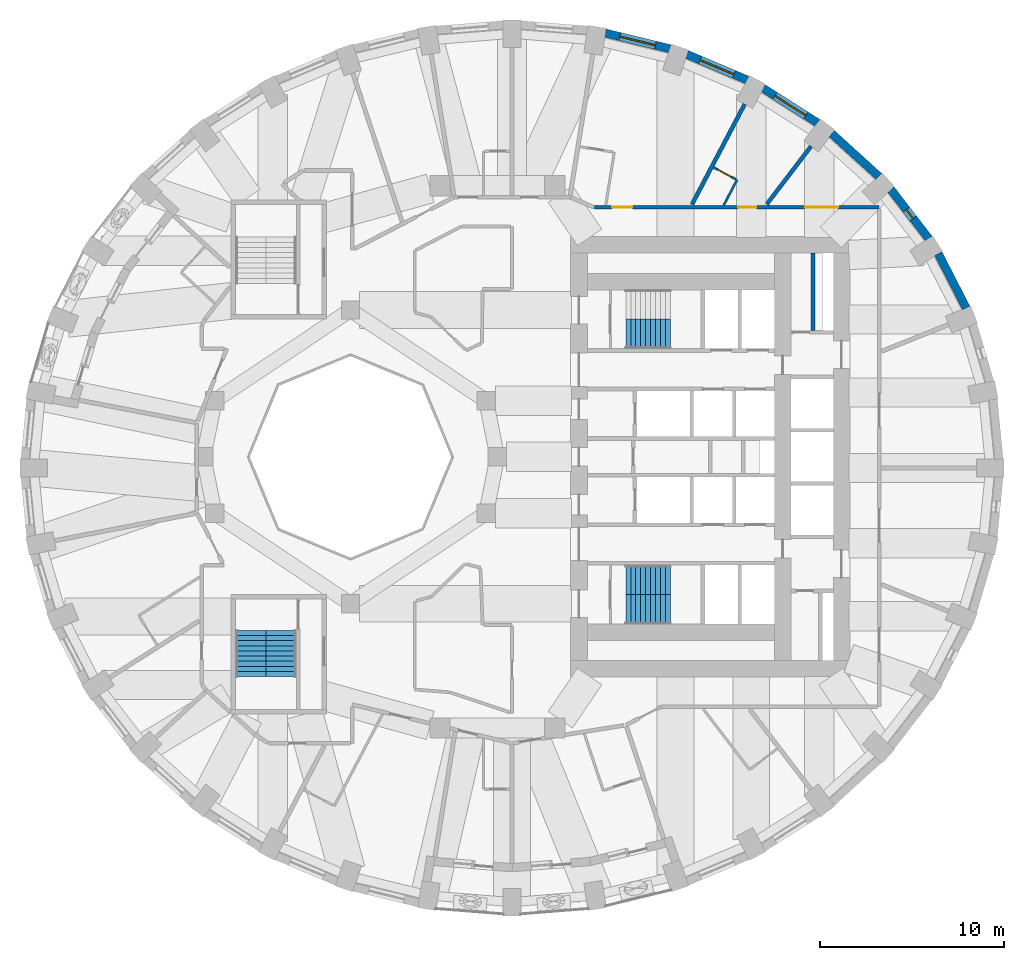
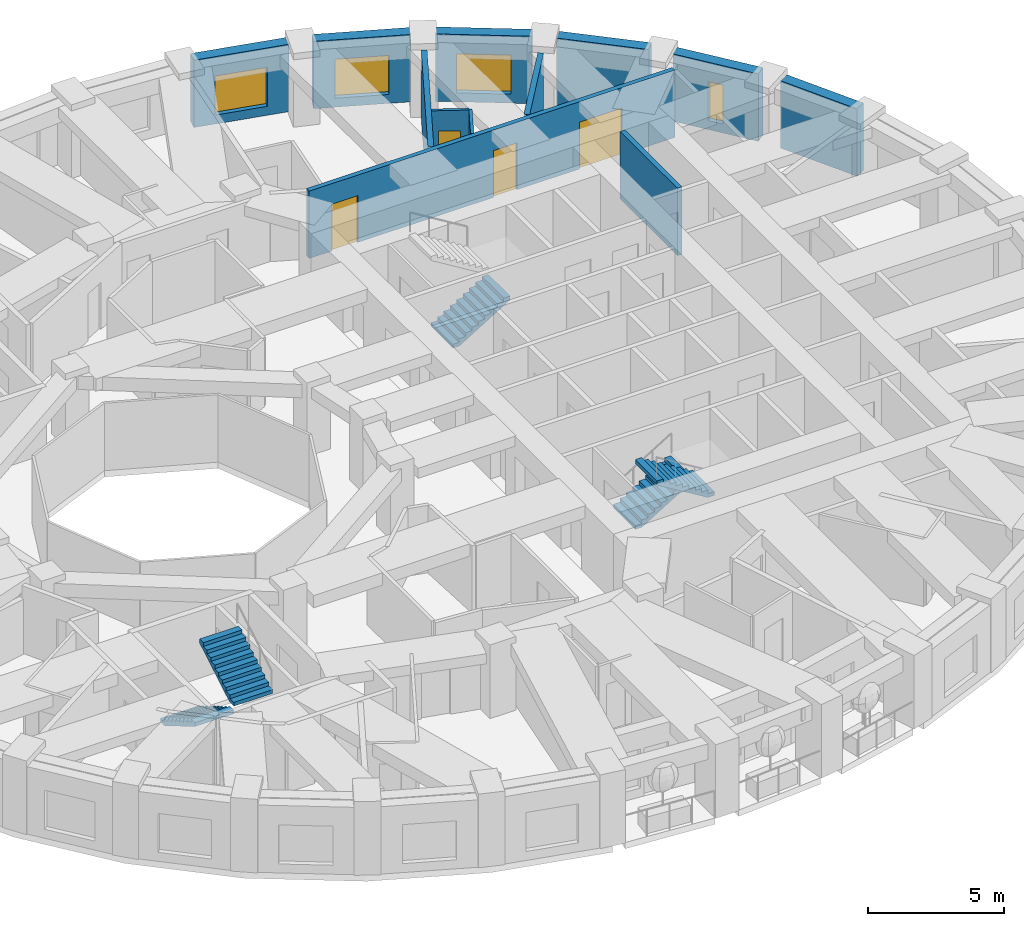
# One storey, part 9 of 13: 12 walls, 5 stair flights, 4 doors, 4 windows, 8 openings, 3 elements without a shape of their own.
"""IFC4 building model written with IfcOpenShell, lengths in metres."""

from ifc_helpers import new_model, si_unit, direction, frame, frame_2d, origin, place, context, subcontext, project, spatial, polyline, rectangle, outline, extrude, material, layer, layer_set, type_object, element, fill, aggregate, save


model = new_model("IFC4")

# Units and contexts
model_context = context("Model", 3, precision=1e-05, world=origin(), true_north=direction((0.0, 1.0)))
body_context = subcontext(model_context, "Body", "Model", "MODEL_VIEW")
ifc_project = project(units=[si_unit("LENGTHUNIT", "METRE"), si_unit("AREAUNIT", "SQUARE_METRE"), si_unit("VOLUMEUNIT", "CUBIC_METRE"), si_unit("PLANEANGLEUNIT", "RADIAN"), si_unit("MASSUNIT", "GRAM", prefix="KILO")], contexts=[model_context])

# Site, building, storey
site_placement = place(None, origin())
site = spatial("IfcSite", under=ifc_project, at=site_placement, CompositionType="ELEMENT")
building_placement = place(site_placement, origin())
building = spatial("IfcBuilding", under=site, at=building_placement, Name="Taillehof Tower", CompositionType="ELEMENT")
storey_placement = place(building_placement, frame((0.0, 0.0, 108.699951171875)))
storey = spatial("IfcBuildingStorey", under=building, at=storey_placement, Name="L30", CompositionType="ELEMENT", Elevation=108.699951171875)

# Wall
ifc_material_1 = material(Name="Brick masonry", Category="masonry")
ifc_layer_1 = layer(ifc_material_1, 0.449951171875)
ifc_layer_set_1 = layer_set([ifc_layer_1], Name="Brick infill wall 450")
wall_type_1 = type_object("IfcWallType", Name="Brick infill wall 450", PredefinedType="SOLIDWALL", material=ifc_layer_set_1)
wall_1_placement = place(storey_placement, frame((25.545166015625, 8.1123046875, 0.0), z_axis=(0.0, 0.0, 1.0), x_axis=(-0.456828186229, 0.889554949549, 0.0)))
element("IfcWall", 1, at=wall_1_placement, inside=storey, type_object=wall_type_1, Name="Brick wall L30 bay 3", PredefinedType="SOLIDWALL", context=body_context, shape_type="SweptSolid", body=[
    extrude(rectangle(XDim=3.332763671875, YDim=0.449951171875, at=frame_2d((1.66650390625, 0.0))), origin(), (0.0, 0.0, 1.0), 3.02001953125),
])

# Wall, opening, window
wall_2_placement = place(storey_placement, frame((23.508056640625, 11.887451171875, 0.0), z_axis=(0.0, 0.0, 1.0), x_axis=(-0.610693945156, 0.791866721961, 0.0)))
wall_2 = element("IfcWall", 2, at=wall_2_placement, inside=storey, type_object=wall_type_1, Name="Brick wall L30 bay 4", PredefinedType="SOLIDWALL", context=body_context, shape_type="SweptSolid", body=[
    extrude(rectangle(XDim=3.39453125, YDim=0.449951171875, at=frame_2d((1.697265625, 0.0))), origin(), (0.0, 0.0, 1.0), 3.02001953125),
])
opening_1_placement = place(wall_2_placement, frame((1.397216796875, 0.0, 0.39990234375)))
opening_1 = element("IfcOpeningElement", 3, at=opening_1_placement, cuts=wall_2, Name="Opening W6", PredefinedType="OPENING", context=body_context, shape_type="SweptSolid", body=[
    extrude(rectangle(XDim=0.60009765625, YDim=1.75, at=frame_2d((0.300048828125, 0.875))), frame((0.0, 0.23486328125, 0.0), z_axis=(0.0, -1.0, 0.0), x_axis=(1.0, 0.0, 0.0)), (0.0, 0.0, 1.0), 0.469970703125),
])
ifc_material_2 = material(Name="Aluminium window frame with clear double glazing", Category="aluminium")
window_type_1 = type_object("IfcWindowType", Name="Slot window 600x1750", PartitioningType="SINGLE_PANEL", PredefinedType="WINDOW", material=ifc_material_2)
window_1_placement = place(opening_1_placement, origin())
window_1 = element("IfcWindow", 4, at=window_1_placement, inside=storey, type_object=window_type_1, Name="W6", OverallHeight=1.75, OverallWidth=0.60009765625, PartitioningType="SINGLE_PANEL", PredefinedType="WINDOW", context=body_context, shape_type="SweptSolid", body=[
    extrude(rectangle(XDim=0.60009765625, YDim=1.75, at=frame_2d((0.300048828125, 0.875))), frame((0.0, 0.034912109375, 0.0), z_axis=(0.0, -1.0, 0.0), x_axis=(1.0, 0.0, 0.0)), (0.0, 0.0, 1.0), 0.06005859375),
])
fill(opening_1, window_1)

# Wall
wall_3_placement = place(storey_placement, frame((20.783935546875, 15.281005859375, 0.0), z_axis=(0.0, 0.0, 1.0), x_axis=(-0.74032902847, 0.672244694739, 0.0)))
element("IfcWall", 5, at=wall_3_placement, inside=storey, type_object=wall_type_1, Name="Brick wall L30 bay 5", PredefinedType="SOLIDWALL", context=body_context, shape_type="SweptSolid", body=[
    extrude(rectangle(XDim=3.4638671875, YDim=0.449951171875, at=frame_2d((1.73193359375, 0.0))), origin(), (0.0, 0.0, 1.0), 3.02001953125),
])

# Wall, opening, window
wall_4_placement = place(storey_placement, frame((17.456298828125, 18.19189453125, 0.0), z_axis=(0.0, 0.0, 1.0), x_axis=(-0.843880549131, 0.536531097699, 0.0)))
wall_4 = element("IfcWall", 6, at=wall_4_placement, inside=storey, type_object=wall_type_1, Name="Brick wall L30 bay 6", PredefinedType="SOLIDWALL", context=body_context, shape_type="SweptSolid", body=[
    extrude(rectangle(XDim=3.532470703125, YDim=0.449951171875, at=frame_2d((1.76611328125, 0.0))), origin(), (0.0, 0.0, 1.0), 3.02001953125),
])
opening_2_placement = place(wall_4_placement, frame((0.76611328125, 0.0, 0.39990234375)))
opening_2 = element("IfcOpeningElement", 7, at=opening_2_placement, cuts=wall_4, Name="Opening W2", PredefinedType="OPENING", context=body_context, shape_type="SweptSolid", body=[
    extrude(rectangle(XDim=2.0, YDim=1.75, at=frame_2d((1.0, 0.875))), frame((0.0, 0.23486328125, 0.0), z_axis=(0.0, -1.0, 0.0), x_axis=(1.0, 0.0, 0.0)), (0.0, 0.0, 1.0), 0.469970703125),
])
ifc_material_3 = material(Name="Aluminium window frame with clear double glazing", Category="aluminium")
window_type_2 = type_object("IfcWindowType", Name="Deep-set window 2000x1750", PartitioningType="SINGLE_PANEL", PredefinedType="WINDOW", material=ifc_material_3)
window_2_placement = place(opening_2_placement, origin())
window_2 = element("IfcWindow", 8, at=window_2_placement, inside=storey, type_object=window_type_2, Name="W2", OverallHeight=1.75, OverallWidth=2.0, PartitioningType="SINGLE_PANEL", PredefinedType="WINDOW", context=body_context, shape_type="SweptSolid", body=[
    extrude(rectangle(XDim=2.0, YDim=1.75, at=frame_2d((1.0, 0.875))), frame((0.0, 0.034912109375, 0.0), z_axis=(0.0, -1.0, 0.0), x_axis=(1.0, 0.0, 0.0)), (0.0, 0.0, 1.0), 0.06005859375),
])
fill(opening_2, window_2)

wall_5_placement = place(storey_placement, frame((13.625244140625, 20.533447265625, 0.0), z_axis=(0.0, 0.0, 1.0), x_axis=(-0.920869643542, 0.389870619055, 0.0)))
wall_5 = element("IfcWall", 9, at=wall_5_placement, inside=storey, type_object=wall_type_1, Name="Brick wall L30 bay 7", PredefinedType="SOLIDWALL", context=body_context, shape_type="SweptSolid", body=[
    extrude(rectangle(XDim=3.59130859375, YDim=0.449951171875, at=frame_2d((1.795654296875, 0.0))), origin(), (0.0, 0.0, 1.0), 3.02001953125),
])
opening_3_placement = place(wall_5_placement, frame((0.795654296875, 0.0, 0.39990234375)))
opening_3 = element("IfcOpeningElement", 10, at=opening_3_placement, cuts=wall_5, Name="Opening W2", PredefinedType="OPENING", context=body_context, shape_type="SweptSolid", body=[
    extrude(rectangle(XDim=2.0, YDim=1.75, at=frame_2d((1.0, 0.875))), frame((0.0, 0.23486328125, 0.0), z_axis=(0.0, -1.0, 0.0), x_axis=(1.0, 0.0, 0.0)), (0.0, 0.0, 1.0), 0.469970703125),
])
window_3_placement = place(opening_3_placement, origin())
window_3 = element("IfcWindow", 11, at=window_3_placement, inside=storey, type_object=window_type_2, Name="W2", OverallHeight=1.75, OverallWidth=2.0, PartitioningType="SINGLE_PANEL", PredefinedType="WINDOW", context=body_context, shape_type="SweptSolid", body=[
    extrude(rectangle(XDim=2.0, YDim=1.75, at=frame_2d((1.0, 0.875))), frame((0.0, 0.034912109375, 0.0), z_axis=(0.0, -1.0, 0.0), x_axis=(1.0, 0.0, 0.0)), (0.0, 0.0, 1.0), 0.06005859375),
])
fill(opening_3, window_3)

wall_6_placement = place(storey_placement, frame((9.406494140625, 22.2353515625, 0.0), z_axis=(0.0, 0.0, 1.0), x_axis=(-0.971667603162, 0.236351579148, 0.0)))
wall_6 = element("IfcWall", 12, at=wall_6_placement, inside=storey, type_object=wall_type_1, Name="Brick wall L30 bay 8", PredefinedType="SOLIDWALL", context=body_context, shape_type="SweptSolid", body=[
    extrude(rectangle(XDim=3.635009765625, YDim=0.449951171875, at=frame_2d((1.8173828125, 0.0))), origin(), (0.0, 0.0, 1.0), 3.02001953125),
])
opening_4_placement = place(wall_6_placement, frame((0.8173828125, 0.0, 0.39990234375)))
opening_4 = element("IfcOpeningElement", 13, at=opening_4_placement, cuts=wall_6, Name="Opening W2", PredefinedType="OPENING", context=body_context, shape_type="SweptSolid", body=[
    extrude(rectangle(XDim=2.0, YDim=1.75, at=frame_2d((1.0, 0.875))), frame((0.0, 0.23486328125, 0.0), z_axis=(0.0, -1.0, 0.0), x_axis=(1.0, 0.0, 0.0)), (0.0, 0.0, 1.0), 0.469970703125),
])
window_4_placement = place(opening_4_placement, origin())
window_4 = element("IfcWindow", 14, at=window_4_placement, inside=storey, type_object=window_type_2, Name="W2", OverallHeight=1.75, OverallWidth=2.0, PartitioningType="SINGLE_PANEL", PredefinedType="WINDOW", context=body_context, shape_type="SweptSolid", body=[
    extrude(rectangle(XDim=2.0, YDim=1.75, at=frame_2d((1.0, 0.875))), frame((0.0, 0.034912109375, 0.0), z_axis=(0.0, -1.0, 0.0), x_axis=(1.0, 0.0, 0.0)), (0.0, 0.0, 1.0), 0.06005859375),
])
fill(opening_4, window_4)

# Wall
ifc_material_4 = material(Name="Calcium silicate masonry", Category="masonry")
ifc_layer_2 = layer(ifc_material_4, 0.199951171875)
ifc_layer_set_2 = layer_set([ifc_layer_2], Name="Compartment wall calcium silicate 200")
wall_type_2 = type_object("IfcWallType", Name="Compartment wall calcium silicate 200", PredefinedType="PARTITIONING", material=ifc_layer_set_2)
wall_7_placement = place(storey_placement, frame((17.199951171875, 6.89990234375, 0.0), z_axis=(0.0, 0.0, 1.0), x_axis=(0.0, 1.0, 0.0)))
element("IfcWall", 15, at=wall_7_placement, inside=storey, type_object=wall_type_2, Name="Compartment wall FW", PredefinedType="PARTITIONING", context=body_context, shape_type="SweptSolid", body=[
    extrude(rectangle(XDim=4.2001953125, YDim=0.199951171875, at=frame_2d((2.10009765625, 0.0))), origin(), (0.0, 0.0, 1.0), 3.02001953125),
])

# Wall, openings, doors
ifc_material_5 = material(Name="Gypsum board on steel studs, two layers each side", Category="steel")
ifc_layer_3 = layer(ifc_material_5, 0.199951171875)
ifc_layer_set_3 = layer_set([ifc_layer_3], Name="Compartment wall corridor 200")
wall_type_3 = type_object("IfcWallType", Name="Compartment wall corridor 200", PredefinedType="PARTITIONING", material=ifc_layer_set_3)
wall_8_placement = place(storey_placement, frame((5.302734375, 13.60009765625, 0.0), z_axis=(0.0, 0.0, 1.0), x_axis=(1.0, 0.0, 0.0)))
wall_8 = element("IfcWall", 16, at=wall_8_placement, inside=storey, type_object=wall_type_3, Name="Compartment wall", PredefinedType="PARTITIONING", context=body_context, shape_type="SweptSolid", body=[
    extrude(rectangle(XDim=15.497314453125, YDim=0.199951171875, at=frame_2d((7.74853515625, 0.0))), origin(), (0.0, 0.0, 1.0), 3.02001953125),
])
opening_5_placement = place(wall_8_placement, frame((7.8125, 0.0, 0.0)))
opening_5 = element("IfcOpeningElement", 17, at=opening_5_placement, cuts=wall_8, Name="Opening D3040", PredefinedType="OPENING", context=body_context, shape_type="SweptSolid", body=[
    extrude(rectangle(XDim=1.0, YDim=2.10009765625, at=frame_2d((0.5, 1.050048828125))), frame((0.0, 0.10986328125, 0.0), z_axis=(0.0, -1.0, 0.0), x_axis=(1.0, 0.0, 0.0)), (0.0, 0.0, 1.0), 0.219970703125),
])
opening_6_placement = place(wall_8_placement, frame((0.957275390625, 0.0, 0.0)))
opening_6 = element("IfcOpeningElement", 18, at=opening_6_placement, cuts=wall_8, Name="Opening D3042", PredefinedType="OPENING", context=body_context, shape_type="SweptSolid", body=[
    extrude(rectangle(XDim=1.10009765625, YDim=2.10009765625, at=frame_2d((0.550048828125, 1.050048828125))), frame((0.0, 0.10986328125, 0.0), z_axis=(0.0, -1.0, 0.0), x_axis=(1.0, 0.0, 0.0)), (0.0, 0.0, 1.0), 0.219970703125),
])
opening_7_placement = place(wall_8_placement, frame((11.467041015625, 0.0, 0.0)))
opening_7 = element("IfcOpeningElement", 19, at=opening_7_placement, cuts=wall_8, Name="Opening D3067", PredefinedType="OPENING", context=body_context, shape_type="SweptSolid", body=[
    extrude(rectangle(XDim=1.800048828125, YDim=2.10009765625, at=frame_2d((0.89990234375, 1.050048828125))), frame((0.0, 0.10986328125, 0.0), z_axis=(0.0, -1.0, 0.0), x_axis=(1.0, 0.0, 0.0)), (0.0, 0.0, 1.0), 0.219970703125),
])
ifc_material_6 = material(Name="Timber door leaf in steel frame", Category="steel")
door_type_1 = type_object("IfcDoorType", Name="Guest room door EI 30 1000 x 2100", OperationType="SINGLE_SWING_LEFT", PredefinedType="DOOR", material=ifc_material_6)
door_1_placement = place(opening_5_placement, origin())
door_1 = element("IfcDoor", 20, at=door_1_placement, inside=storey, type_object=door_type_1, Name="D3040", OperationType="SINGLE_SWING_RIGHT", OverallHeight=2.10009765625, OverallWidth=1.0, PredefinedType="DOOR", context=body_context, shape_type="SweptSolid", body=[
    extrude(rectangle(XDim=1.0, YDim=2.10009765625, at=frame_2d((0.5, 1.050048828125))), frame((0.0, 0.02490234375, 0.0), z_axis=(0.0, -1.0, 0.0), x_axis=(1.0, 0.0, 0.0)), (0.0, 0.0, 1.0), 0.050048828125),
])
fill(opening_5, door_1)
ifc_material_7 = material(Name="Timber door leaf in steel frame", Category="steel")
door_type_2 = type_object("IfcDoorType", Name="Lounge and meeting room double door EI 30 1800 x 2100", OperationType="SINGLE_SWING_LEFT", PredefinedType="DOOR", material=ifc_material_7)
door_2_placement = place(opening_7_placement, origin())
door_2 = element("IfcDoor", 21, at=door_2_placement, inside=storey, type_object=door_type_2, Name="D3067", OperationType="DOUBLE_DOOR_SINGLE_SWING", OverallHeight=2.10009765625, OverallWidth=1.800048828125, PredefinedType="DOOR", context=body_context, shape_type="SweptSolid", body=[
    extrude(rectangle(XDim=1.800048828125, YDim=2.10009765625, at=frame_2d((0.89990234375, 1.050048828125))), frame((0.0, 0.02490234375, 0.0), z_axis=(0.0, -1.0, 0.0), x_axis=(1.0, 0.0, 0.0)), (0.0, 0.0, 1.0), 0.050048828125),
])
fill(opening_7, door_2)
ifc_material_8 = material(Name="Timber door leaf in steel frame", Category="steel")
door_type_3 = type_object("IfcDoorType", Name="Suite entrance door EI 30 1100 x 2100", OperationType="SINGLE_SWING_LEFT", PredefinedType="DOOR", material=ifc_material_8)
door_3_placement = place(opening_6_placement, origin())
door_3 = element("IfcDoor", 22, at=door_3_placement, inside=storey, type_object=door_type_3, Name="D3042", OperationType="SINGLE_SWING_LEFT", OverallHeight=2.10009765625, OverallWidth=1.10009765625, PredefinedType="DOOR", context=body_context, shape_type="SweptSolid", body=[
    extrude(rectangle(XDim=1.10009765625, YDim=2.10009765625, at=frame_2d((0.550048828125, 1.050048828125))), frame((0.0, 0.02490234375, 0.0), z_axis=(0.0, -1.0, 0.0), x_axis=(1.0, 0.0, 0.0)), (0.0, 0.0, 1.0), 0.050048828125),
])
fill(opening_6, door_3)

# Walls
ifc_material_9 = material(Name="Gypsum board on double steel studs with mineral wool", Category="steel")
ifc_layer_4 = layer(ifc_material_9, 0.219970703125)
ifc_layer_set_4 = layer_set([ifc_layer_4], Name="Compartment wall guest room 220")
wall_type_4 = type_object("IfcWallType", Name="Compartment wall guest room 220", PredefinedType="PARTITIONING", material=ifc_layer_set_4)
wall_9_placement = place(storey_placement, frame((17.08935546875, 16.9208984375, 0.0), z_axis=(0.0, 0.0, 1.0), x_axis=(-0.607055443677, -0.794659479464, 0.0)))
element("IfcWall", 23, at=wall_9_placement, inside=storey, type_object=wall_type_4, Name="Compartment wall", PredefinedType="PARTITIONING", context=body_context, shape_type="SweptSolid", body=[
    extrude(rectangle(XDim=3.97314453125, YDim=0.219970703125, at=frame_2d((1.986572265625, 0.0))), origin(), (0.0, 0.0, 1.0), 3.02001953125),
])
wall_10_placement = place(storey_placement, frame((13.47607421875, 19.217529296875, 0.0), z_axis=(0.0, 0.0, 1.0), x_axis=(-0.465345394262, -0.885129179295, 0.0)))
element("IfcWall", 24, at=wall_10_placement, inside=storey, type_object=wall_type_4, Name="Compartment wall", PredefinedType="PARTITIONING", context=body_context, shape_type="SweptSolid", body=[
    extrude(rectangle(XDim=6.1728515625, YDim=0.219970703125, at=frame_2d((3.08642578125, 0.0))), origin(), (0.0, 0.0, 1.0), 3.02001953125),
])
ifc_material_10 = material(Name="Gypsum board on steel studs, moisture resistant", Category="steel")
ifc_layer_5 = layer(ifc_material_10, 0.1201171875)
ifc_layer_set_5 = layer_set([ifc_layer_5], Name="En-suite wall 120")
wall_type_5 = type_object("IfcWallType", Name="En-suite wall 120", PredefinedType="PARTITIONING", material=ifc_layer_set_5)
wall_11_placement = place(storey_placement, frame((12.3359375, 13.718017578125, 0.0), z_axis=(0.0, 0.0, 1.0), x_axis=(0.465428746876, 0.88508535271, 0.0)))
element("IfcWall", 25, at=wall_11_placement, inside=storey, type_object=wall_type_5, Name="En-suite wall", PredefinedType="PARTITIONING", context=body_context, shape_type="SweptSolid", body=[
    extrude(rectangle(XDim=1.55224609375, YDim=0.1201171875, at=frame_2d((0.776123046875, 0.0))), origin(), (0.0, 0.0, 1.0), 3.02001953125),
])

# Wall, opening, door
wall_12_placement = place(storey_placement, frame((13.005126953125, 15.11962890625, 0.0), z_axis=(0.0, 0.0, 1.0), x_axis=(-0.885148383454, 0.465308864378, 0.0)))
wall_12 = element("IfcWall", 26, at=wall_12_placement, inside=storey, type_object=wall_type_5, Name="En-suite wall", PredefinedType="PARTITIONING", context=body_context, shape_type="SweptSolid", body=[
    extrude(rectangle(XDim=1.3798828125, YDim=0.1201171875, at=frame_2d((0.68994140625, 0.0))), origin(), (0.0, 0.0, 1.0), 3.02001953125),
])
opening_8_placement = place(wall_12_placement, frame((0.31494140625, 0.0, 0.0)))
opening_8 = element("IfcOpeningElement", 27, at=opening_8_placement, cuts=wall_12, Name="Opening D3041", PredefinedType="OPENING", context=body_context, shape_type="SweptSolid", body=[
    extrude(rectangle(XDim=0.800048828125, YDim=2.10009765625, at=frame_2d((0.39990234375, 1.050048828125))), frame((0.0, 0.070068359375, 0.0), z_axis=(0.0, -1.0, 0.0), x_axis=(1.0, 0.0, 0.0)), (0.0, 0.0, 1.0), 0.14013671875),
])
ifc_material_11 = material(Name="Timber door leaf in steel frame", Category="steel")
door_type_4 = type_object("IfcDoorType", Name="En-suite door 800 x 2100", OperationType="SINGLE_SWING_LEFT", PredefinedType="DOOR", material=ifc_material_11)
door_4_placement = place(opening_8_placement, origin())
door_4 = element("IfcDoor", 28, at=door_4_placement, inside=storey, type_object=door_type_4, Name="D3041", OperationType="SINGLE_SWING_LEFT", OverallHeight=2.10009765625, OverallWidth=0.800048828125, PredefinedType="DOOR", context=body_context, shape_type="SweptSolid", body=[
    extrude(rectangle(XDim=0.800048828125, YDim=2.10009765625, at=frame_2d((0.39990234375, 1.050048828125))), frame((0.0, 0.02490234375, 0.0), z_axis=(0.0, -1.0, 0.0), x_axis=(1.0, 0.0, 0.0)), (0.0, 0.0, 1.0), 0.050048828125),
])
fill(opening_8, door_4)

# Stair, stair flight
ifc_material_12 = material(Name="Concrete C40/50", Category="concrete")
stair_type = type_object("IfcStairType", Name="Exit stair half-turn", PredefinedType="HALF_TURN_STAIR", material=ifc_material_12)
stair_1_placement = place(storey_placement, origin())
stair_1 = element("IfcStair", 29, at=stair_1_placement, inside=storey, type_object=stair_type, Name="Exit stair S1", PredefinedType="HALF_TURN_STAIR")
ifc_material_13 = material(Name="Concrete C40/50", Category="concrete")
stair_flight_type_1 = type_object("IfcStairFlightType", Name="Stair flight 1600 riser 165.0 going 270", PredefinedType="STRAIGHT", material=ifc_material_13)
stair_flight_1_placement = place(storey_placement, frame((7.0, 6.699951171875, 0.0), z_axis=(0.0, 0.0, 1.0), x_axis=(1.0, 0.0, 0.0)))
stair_flight_1 = element("IfcStairFlight", 30, at=stair_flight_1_placement, type_object=stair_flight_type_1, Name="S1 flight 1", NumberOfRisers=10, NumberOfTreads=9, PredefinedType="STRAIGHT", RiserHeight=0.165, TreadLength=0.27, context=body_context, shape_type="SweptSolid", body=[
    extrude(outline(polyline([(0.0, 0.0), (0.0, 0.00537109375), (0.0, 0.0107421875), (0.0, 0.015869140625), (0.0, 0.021240234375), (0.0, 0.026611328125), (0.0, 0.031982421875), (0.0, 0.037353515625), (0.0, 0.04248046875), (0.0, 0.0478515625), (0.0, 0.05322265625), (0.0, 0.05859375), (0.0, 0.06396484375), (0.0, 0.069091796875), (0.0, 0.074462890625), (0.0, 0.079833984375), (0.0, 0.085205078125), (0.0, 0.090576171875), (0.0, 0.095703125), (0.0, 0.10107421875), (0.0, 0.1064453125), (0.0, 0.11181640625), (0.0, 0.1171875), (0.0, 0.122314453125), (0.0, 0.127685546875), (0.0, 0.133056640625), (0.0, 0.138427734375), (0.0, 0.143798828125), (0.0, 0.14892578125), (0.0, 0.154296875), (0.0, 0.15966796875), (0.0, 0.1650390625), (0.27001953125, 0.1650390625), (0.27001953125, 0.330078125), (0.5400390625, 0.330078125), (0.5400390625, 0.4951171875), (0.81005859375, 0.4951171875), (0.81005859375, 0.659912109375), (1.080078125, 0.659912109375), (1.080078125, 0.824951171875), (1.35009765625, 0.824951171875), (1.35009765625, 0.989990234375), (1.6201171875, 0.989990234375), (1.6201171875, 1.155029296875), (1.889892578125, 1.155029296875), (1.889892578125, 1.320068359375), (2.159912109375, 1.320068359375), (2.159912109375, 1.485107421875), (2.429931640625, 1.485107421875), (2.429931640625, 1.479248046875), (2.429931640625, 1.4736328125), (2.429931640625, 1.468017578125), (2.429931640625, 1.46240234375), (2.429931640625, 1.45654296875), (2.429931640625, 1.450927734375), (2.429931640625, 1.4453125), (2.429931640625, 1.439697265625), (2.429931640625, 1.43408203125), (2.429931640625, 1.42822265625), (2.429931640625, 1.422607421875), (2.429931640625, 1.4169921875), (2.429931640625, 1.411376953125), (2.429931640625, 1.40576171875), (2.429931640625, 1.39990234375), (2.429931640625, 1.394287109375), (2.429931640625, 1.388671875), (2.429931640625, 1.383056640625), (2.429931640625, 1.37744140625), (2.429931640625, 1.37158203125), (2.429931640625, 1.365966796875), (2.429931640625, 1.3603515625), (2.429931640625, 1.354736328125), (2.429931640625, 1.348876953125), (2.429931640625, 1.34326171875), (2.429931640625, 1.337646484375), (2.429931640625, 1.33203125), (2.429931640625, 1.326416015625), (2.429931640625, 1.320556640625), (2.429931640625, 1.31494140625), (2.429931640625, 1.309326171875), (0.287353515625, 0.0), (0.0, 0.0)])), frame((0.0, 0.800048828125, 0.0), z_axis=(0.0, -1.0, 0.0), x_axis=(1.0, 0.0, 0.0)), (0.0, 0.0, 1.0), 1.6),
])
aggregate(stair_1, [stair_flight_1])

# Stair, stair flights
stair_2_placement = place(storey_placement, origin())
stair_2 = element("IfcStair", 31, at=stair_2_placement, inside=storey, type_object=stair_type, Name="Exit stair S2", PredefinedType="HALF_TURN_STAIR")
stair_flight_2_placement = place(storey_placement, frame((7.0, -6.699951171875, 0.0), z_axis=(0.0, 0.0, 1.0), x_axis=(1.0, 0.0, 0.0)))
stair_flight_2 = element("IfcStairFlight", 32, at=stair_flight_2_placement, type_object=stair_flight_type_1, Name="S2 flight 1", NumberOfRisers=10, NumberOfTreads=9, PredefinedType="STRAIGHT", RiserHeight=0.165, TreadLength=0.27, context=body_context, shape_type="SweptSolid", body=[
    extrude(outline(polyline([(0.0, 0.0), (0.0, 0.00537109375), (0.0, 0.0107421875), (0.0, 0.015869140625), (0.0, 0.021240234375), (0.0, 0.026611328125), (0.0, 0.031982421875), (0.0, 0.037353515625), (0.0, 0.04248046875), (0.0, 0.0478515625), (0.0, 0.05322265625), (0.0, 0.05859375), (0.0, 0.06396484375), (0.0, 0.069091796875), (0.0, 0.074462890625), (0.0, 0.079833984375), (0.0, 0.085205078125), (0.0, 0.090576171875), (0.0, 0.095703125), (0.0, 0.10107421875), (0.0, 0.1064453125), (0.0, 0.11181640625), (0.0, 0.1171875), (0.0, 0.122314453125), (0.0, 0.127685546875), (0.0, 0.133056640625), (0.0, 0.138427734375), (0.0, 0.143798828125), (0.0, 0.14892578125), (0.0, 0.154296875), (0.0, 0.15966796875), (0.0, 0.1650390625), (0.27001953125, 0.1650390625), (0.27001953125, 0.330078125), (0.5400390625, 0.330078125), (0.5400390625, 0.4951171875), (0.81005859375, 0.4951171875), (0.81005859375, 0.659912109375), (1.080078125, 0.659912109375), (1.080078125, 0.824951171875), (1.35009765625, 0.824951171875), (1.35009765625, 0.989990234375), (1.6201171875, 0.989990234375), (1.6201171875, 1.155029296875), (1.889892578125, 1.155029296875), (1.889892578125, 1.320068359375), (2.159912109375, 1.320068359375), (2.159912109375, 1.485107421875), (2.429931640625, 1.485107421875), (2.429931640625, 1.479248046875), (2.429931640625, 1.4736328125), (2.429931640625, 1.468017578125), (2.429931640625, 1.46240234375), (2.429931640625, 1.45654296875), (2.429931640625, 1.450927734375), (2.429931640625, 1.4453125), (2.429931640625, 1.439697265625), (2.429931640625, 1.43408203125), (2.429931640625, 1.42822265625), (2.429931640625, 1.422607421875), (2.429931640625, 1.4169921875), (2.429931640625, 1.411376953125), (2.429931640625, 1.40576171875), (2.429931640625, 1.39990234375), (2.429931640625, 1.394287109375), (2.429931640625, 1.388671875), (2.429931640625, 1.383056640625), (2.429931640625, 1.37744140625), (2.429931640625, 1.37158203125), (2.429931640625, 1.365966796875), (2.429931640625, 1.3603515625), (2.429931640625, 1.354736328125), (2.429931640625, 1.348876953125), (2.429931640625, 1.34326171875), (2.429931640625, 1.337646484375), (2.429931640625, 1.33203125), (2.429931640625, 1.326416015625), (2.429931640625, 1.320556640625), (2.429931640625, 1.31494140625), (2.429931640625, 1.309326171875), (0.287353515625, 0.0), (0.0, 0.0)])), frame((0.0, 0.800048828125, 0.0), z_axis=(0.0, -1.0, 0.0), x_axis=(1.0, 0.0, 0.0)), (0.0, 0.0, 1.0), 1.6),
])
stair_flight_3_placement = place(storey_placement, frame((9.429931640625, -8.300048828125, 1.650146484375), z_axis=(0.0, 0.0, 1.0), x_axis=(-1.0, 0.0, 0.0)))
stair_flight_3 = element("IfcStairFlight", 33, at=stair_flight_3_placement, type_object=stair_flight_type_1, Name="S2 flight 2", NumberOfRisers=10, NumberOfTreads=9, PredefinedType="STRAIGHT", RiserHeight=0.165, TreadLength=0.27, context=body_context, shape_type="SweptSolid", body=[
    extrude(outline(polyline([(0.0, 0.0), (0.0, 0.00537109375), (0.0, 0.0107421875), (0.0, 0.015869140625), (0.0, 0.021240234375), (0.0, 0.026611328125), (0.0, 0.031982421875), (0.0, 0.037353515625), (0.0, 0.04248046875), (0.0, 0.0478515625), (0.0, 0.05322265625), (0.0, 0.05859375), (0.0, 0.06396484375), (0.0, 0.069091796875), (0.0, 0.074462890625), (0.0, 0.079833984375), (0.0, 0.085205078125), (0.0, 0.090576171875), (0.0, 0.095703125), (0.0, 0.10107421875), (0.0, 0.1064453125), (0.0, 0.11181640625), (0.0, 0.1171875), (0.0, 0.122314453125), (0.0, 0.127685546875), (0.0, 0.133056640625), (0.0, 0.138427734375), (0.0, 0.143798828125), (0.0, 0.14892578125), (0.0, 0.154296875), (0.0, 0.15966796875), (0.0, 0.1650390625), (0.27001953125, 0.1650390625), (0.27001953125, 0.330078125), (0.5400390625, 0.330078125), (0.5400390625, 0.4951171875), (0.81005859375, 0.4951171875), (0.81005859375, 0.659912109375), (1.080078125, 0.659912109375), (1.080078125, 0.824951171875), (1.35009765625, 0.824951171875), (1.35009765625, 0.989990234375), (1.6201171875, 0.989990234375), (1.6201171875, 1.155029296875), (1.889892578125, 1.155029296875), (1.889892578125, 1.320068359375), (2.159912109375, 1.320068359375), (2.159912109375, 1.485107421875), (2.429931640625, 1.485107421875), (2.429931640625, 1.479248046875), (2.429931640625, 1.4736328125), (2.429931640625, 1.468017578125), (2.429931640625, 1.46240234375), (2.429931640625, 1.45654296875), (2.429931640625, 1.450927734375), (2.429931640625, 1.4453125), (2.429931640625, 1.439697265625), (2.429931640625, 1.43408203125), (2.429931640625, 1.42822265625), (2.429931640625, 1.422607421875), (2.429931640625, 1.4169921875), (2.429931640625, 1.411376953125), (2.429931640625, 1.40576171875), (2.429931640625, 1.39990234375), (2.429931640625, 1.394287109375), (2.429931640625, 1.388671875), (2.429931640625, 1.383056640625), (2.429931640625, 1.37744140625), (2.429931640625, 1.37158203125), (2.429931640625, 1.365966796875), (2.429931640625, 1.3603515625), (2.429931640625, 1.354736328125), (2.429931640625, 1.348876953125), (2.429931640625, 1.34326171875), (2.429931640625, 1.337646484375), (2.429931640625, 1.33203125), (2.429931640625, 1.326416015625), (2.429931640625, 1.320556640625), (2.429931640625, 1.31494140625), (2.429931640625, 1.309326171875), (0.287353515625, 0.0), (0.0, 0.0)])), frame((0.0, 0.800048828125, 0.0), z_axis=(0.0, -1.0, 0.0), x_axis=(1.0, 0.0, 0.0)), (0.0, 0.0, 1.0), 1.6),
])
aggregate(stair_2, [stair_flight_2, stair_flight_3])

stair_3_placement = place(storey_placement, origin())
stair_3 = element("IfcStair", 34, at=stair_3_placement, inside=storey, type_object=stair_type, Name="Exit stair S4", PredefinedType="HALF_TURN_STAIR")
ifc_material_14 = material(Name="Concrete C40/50", Category="concrete")
stair_flight_type_2 = type_object("IfcStairFlightType", Name="Stair flight 1650 riser 165.0 going 280", PredefinedType="STRAIGHT", material=ifc_material_14)
stair_flight_4_placement = place(storey_placement, frame((-13.425048828125, -9.449951171875, 0.0), z_axis=(0.0, 0.0, 1.0), x_axis=(0.0, -1.0, 0.0)))
stair_flight_4 = element("IfcStairFlight", 35, at=stair_flight_4_placement, type_object=stair_flight_type_2, Name="S4 flight 1", NumberOfRisers=10, NumberOfTreads=9, PredefinedType="STRAIGHT", RiserHeight=0.165, TreadLength=0.28, context=body_context, shape_type="SweptSolid", body=[
    extrude(outline(polyline([(0.0, 0.0), (0.0, 0.00537109375), (0.0, 0.0107421875), (0.0, 0.015869140625), (0.0, 0.021240234375), (0.0, 0.026611328125), (0.0, 0.031982421875), (0.0, 0.037353515625), (0.0, 0.04248046875), (0.0, 0.0478515625), (0.0, 0.05322265625), (0.0, 0.05859375), (0.0, 0.06396484375), (0.0, 0.069091796875), (0.0, 0.074462890625), (0.0, 0.079833984375), (0.0, 0.085205078125), (0.0, 0.090576171875), (0.0, 0.095703125), (0.0, 0.10107421875), (0.0, 0.1064453125), (0.0, 0.11181640625), (0.0, 0.1171875), (0.0, 0.122314453125), (0.0, 0.127685546875), (0.0, 0.133056640625), (0.0, 0.138427734375), (0.0, 0.143798828125), (0.0, 0.14892578125), (0.0, 0.154296875), (0.0, 0.15966796875), (0.0, 0.1650390625), (0.280029296875, 0.1650390625), (0.280029296875, 0.330078125), (0.56005859375, 0.330078125), (0.56005859375, 0.4951171875), (0.840087890625, 0.4951171875), (0.840087890625, 0.659912109375), (1.1201171875, 0.659912109375), (1.1201171875, 0.824951171875), (1.39990234375, 0.824951171875), (1.39990234375, 0.989990234375), (1.679931640625, 0.989990234375), (1.679931640625, 1.155029296875), (1.9599609375, 1.155029296875), (1.9599609375, 1.320068359375), (2.239990234375, 1.320068359375), (2.239990234375, 1.485107421875), (2.52001953125, 1.485107421875), (2.52001953125, 1.4794921875), (2.52001953125, 1.473876953125), (2.52001953125, 1.46826171875), (2.52001953125, 1.462646484375), (2.52001953125, 1.45703125), (2.52001953125, 1.451416015625), (2.52001953125, 1.44580078125), (2.52001953125, 1.440185546875), (2.52001953125, 1.4345703125), (2.52001953125, 1.428955078125), (2.52001953125, 1.42333984375), (2.52001953125, 1.417724609375), (2.52001953125, 1.412109375), (2.52001953125, 1.406494140625), (2.52001953125, 1.40087890625), (2.52001953125, 1.395263671875), (2.52001953125, 1.3896484375), (2.52001953125, 1.384033203125), (2.52001953125, 1.37841796875), (2.52001953125, 1.372802734375), (2.52001953125, 1.3671875), (2.52001953125, 1.361572265625), (2.52001953125, 1.35595703125), (2.52001953125, 1.350341796875), (2.52001953125, 1.3447265625), (2.52001953125, 1.339111328125), (2.52001953125, 1.33349609375), (2.52001953125, 1.327880859375), (2.52001953125, 1.322265625), (2.52001953125, 1.316650390625), (2.52001953125, 1.31103515625), (0.295166015625, 0.0), (0.0, 0.0)])), frame((0.0, 0.824951171875, 0.0), z_axis=(0.0, -1.0, 0.0), x_axis=(1.0, 0.0, 0.0)), (0.0, 0.0, 1.0), 1.65),
])
stair_flight_5_placement = place(storey_placement, frame((-11.77490234375, -11.969970703125, 1.650146484375), z_axis=(0.0, 0.0, 1.0), x_axis=(0.0, 1.0, 0.0)))
stair_flight_5 = element("IfcStairFlight", 36, at=stair_flight_5_placement, type_object=stair_flight_type_2, Name="S4 flight 2", NumberOfRisers=10, NumberOfTreads=9, PredefinedType="STRAIGHT", RiserHeight=0.165, TreadLength=0.28, context=body_context, shape_type="SweptSolid", body=[
    extrude(outline(polyline([(0.0, 0.0), (0.0, 0.00537109375), (0.0, 0.0107421875), (0.0, 0.015869140625), (0.0, 0.021240234375), (0.0, 0.026611328125), (0.0, 0.031982421875), (0.0, 0.037353515625), (0.0, 0.04248046875), (0.0, 0.0478515625), (0.0, 0.05322265625), (0.0, 0.05859375), (0.0, 0.06396484375), (0.0, 0.069091796875), (0.0, 0.074462890625), (0.0, 0.079833984375), (0.0, 0.085205078125), (0.0, 0.090576171875), (0.0, 0.095703125), (0.0, 0.10107421875), (0.0, 0.1064453125), (0.0, 0.11181640625), (0.0, 0.1171875), (0.0, 0.122314453125), (0.0, 0.127685546875), (0.0, 0.133056640625), (0.0, 0.138427734375), (0.0, 0.143798828125), (0.0, 0.14892578125), (0.0, 0.154296875), (0.0, 0.15966796875), (0.0, 0.1650390625), (0.280029296875, 0.1650390625), (0.280029296875, 0.330078125), (0.56005859375, 0.330078125), (0.56005859375, 0.4951171875), (0.840087890625, 0.4951171875), (0.840087890625, 0.659912109375), (1.1201171875, 0.659912109375), (1.1201171875, 0.824951171875), (1.39990234375, 0.824951171875), (1.39990234375, 0.989990234375), (1.679931640625, 0.989990234375), (1.679931640625, 1.155029296875), (1.9599609375, 1.155029296875), (1.9599609375, 1.320068359375), (2.239990234375, 1.320068359375), (2.239990234375, 1.485107421875), (2.52001953125, 1.485107421875), (2.52001953125, 1.4794921875), (2.52001953125, 1.473876953125), (2.52001953125, 1.46826171875), (2.52001953125, 1.462646484375), (2.52001953125, 1.45703125), (2.52001953125, 1.451416015625), (2.52001953125, 1.44580078125), (2.52001953125, 1.440185546875), (2.52001953125, 1.4345703125), (2.52001953125, 1.428955078125), (2.52001953125, 1.42333984375), (2.52001953125, 1.417724609375), (2.52001953125, 1.412109375), (2.52001953125, 1.406494140625), (2.52001953125, 1.40087890625), (2.52001953125, 1.395263671875), (2.52001953125, 1.3896484375), (2.52001953125, 1.384033203125), (2.52001953125, 1.37841796875), (2.52001953125, 1.372802734375), (2.52001953125, 1.3671875), (2.52001953125, 1.361572265625), (2.52001953125, 1.35595703125), (2.52001953125, 1.350341796875), (2.52001953125, 1.3447265625), (2.52001953125, 1.339111328125), (2.52001953125, 1.33349609375), (2.52001953125, 1.327880859375), (2.52001953125, 1.322265625), (2.52001953125, 1.316650390625), (2.52001953125, 1.31103515625), (0.295166015625, 0.0), (0.0, 0.0)])), frame((0.0, 0.824951171875, 0.0), z_axis=(0.0, -1.0, 0.0), x_axis=(1.0, 0.0, 0.0)), (0.0, 0.0, 1.0), 1.65),
])
aggregate(stair_3, [stair_flight_4, stair_flight_5])

save(model, "model.ifc")
